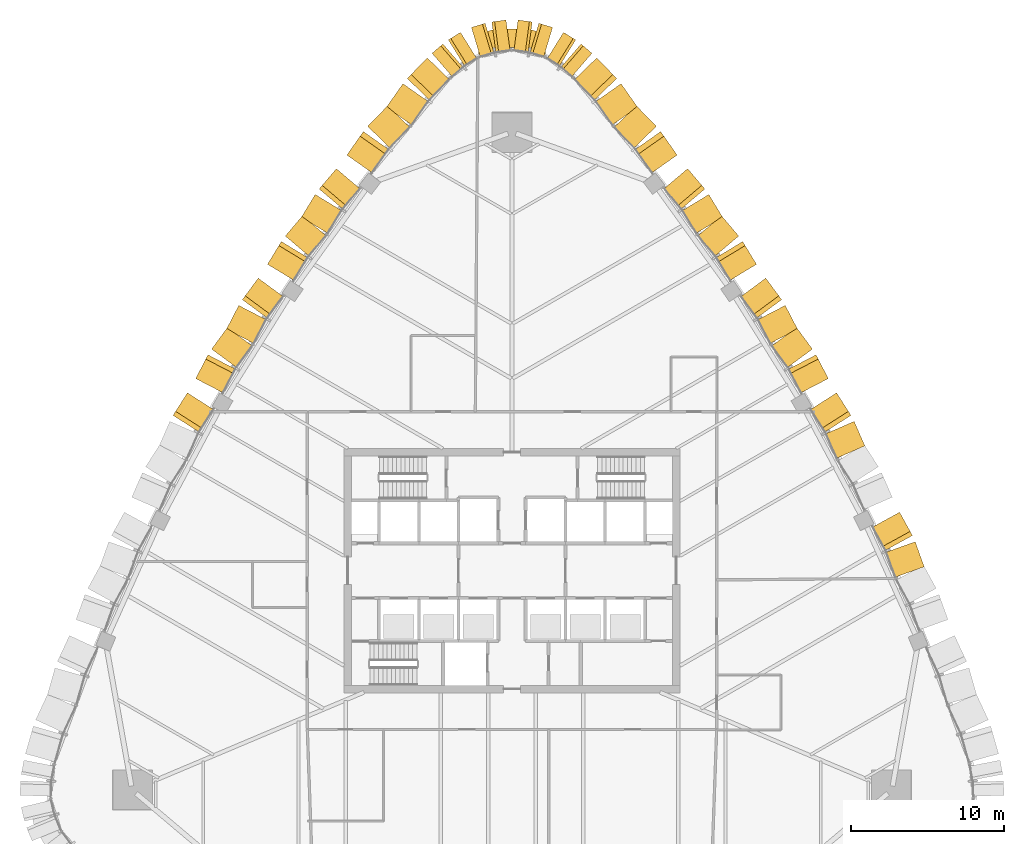
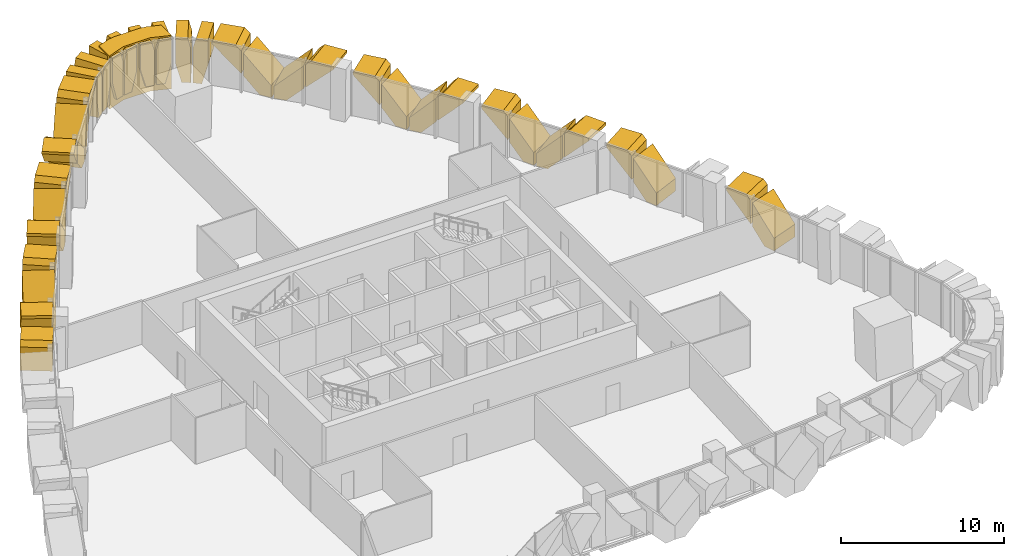
# One storey, part 17 of 18: 38 coverings.
"""IFC4 building model written with IfcOpenShell, lengths in metres."""

from ifc_helpers import new_model, si_unit, direction, frame, origin, place, context, subcontext, project, spatial, polyline, outline, extrude, material, layer, layer_set, type_object, element, save


model = new_model("IFC4")

# Units and contexts
model_context = context("Model", 3, precision=1e-05, world=origin(), true_north=direction((0.0, 1.0)))
body_context = subcontext(model_context, "Body", "Model", "MODEL_VIEW")
ifc_project = project(units=[si_unit("LENGTHUNIT", "METRE"), si_unit("AREAUNIT", "SQUARE_METRE"), si_unit("VOLUMEUNIT", "CUBIC_METRE"), si_unit("PLANEANGLEUNIT", "RADIAN"), si_unit("MASSUNIT", "GRAM", prefix="KILO")], contexts=[model_context])

# Site, building, storey
site_placement = place(None, origin())
site = spatial("IfcSite", under=ifc_project, at=site_placement, CompositionType="ELEMENT")
building_placement = place(site_placement, origin())
building = spatial("IfcBuilding", under=site, at=building_placement, Name="Sierra Prisma Convention Tower", CompositionType="ELEMENT")
storey_placement = place(building_placement, frame((0.0, 0.0, 133.800048828125)))
storey = spatial("IfcBuildingStorey", under=building, at=storey_placement, Name="L28", CompositionType="ELEMENT", Elevation=133.800048828125)

# Coverings
ifc_material_1 = material(Name="Aluminium composite bronze anodised", Category="aluminium")
ifc_layer_1 = layer(ifc_material_1, 1.199951171875)
ifc_layer_set_1 = layer_set([ifc_layer_1], Name="Bronze corner pier")
covering_type_1 = type_object("IfcCoveringType", Name="Bronze corner pier", PredefinedType="CLADDING", material=ifc_layer_set_1)
covering_1_placement = place(storey_placement, frame((0.0, 0.0, -0.60009765625)))
element("IfcCovering", 1, at=covering_1_placement, inside=storey, type_object=covering_type_1, Name="Corner pier N L28.1", PredefinedType="CLADDING", context=body_context, shape_type="SweptSolid", body=[
    extrude(outline(polyline([(-1.3466796875, 35.398193359375), (-0.9482421875, 35.46630859375), (0.9482421875, 35.46630859375), (1.3466796875, 35.398193359375), (2.199951171875, 35.097900390625), (2.199951171875, 33.82568359375), (0.9482421875, 34.266357421875), (-0.9482421875, 34.266357421875), (-2.199951171875, 33.82568359375), (-2.199951171875, 35.097900390625), (-1.3466796875, 35.398193359375)])), origin(), (0.0, 0.0, 1.0), 4.0),
])
ifc_material_2 = material(Name="Aluminium 6063-T6 bronze anodised", Category="aluminium")
ifc_layer_2 = layer(ifc_material_2, 2.0)
ifc_layer_set_2 = layer_set([ifc_layer_2], Name="Bronze crystal chevron frame")
covering_type_2 = type_object("IfcCoveringType", Name="Bronze crystal chevron frame", PredefinedType="CLADDING", material=ifc_layer_set_2)
covering_2_placement = place(storey_placement, frame((26.987548828125, 0.258056640625, 0.0), z_axis=(0.941209803195, 0.33782259593, 7.011994e-06), x_axis=(-0.337822595938, 0.941209803218, -1.74e-10)))
element("IfcCovering", 2, at=covering_2_placement, inside=storey, type_object=covering_type_2, Name="CW-2 chevron frame NE2.2.1", PredefinedType="CLADDING", context=body_context, shape_type="SweptSolid", body=[
    extrude(outline(polyline([(0.0, 0.0), (0.7610441299229481, -2.117582368135751e-22), (1.7431049751650438, 1.0515136722050158), (1.743104974858312, 2.809326172161802), (-1.6457012325409841e-10, 0.9431152343518144), (0.0, 0.0)])), origin(), (0.0, 0.0, -1.0), 2.0),
])
covering_3_placement = place(storey_placement, frame((25.378173828125, 3.83154296875, 3.280029296875), z_axis=(0.876747627936, 0.480950721912, -1.21381e-07), x_axis=(0.480950721912, -0.876747627936, 0.0)))
element("IfcCovering", 3, at=covering_3_placement, inside=storey, type_object=covering_type_2, Name="CW-2 chevron frame NE2.2.2", PredefinedType="CLADDING", context=body_context, shape_type="SweptSolid", body=[
    extrude(outline(polyline([(0.0, 0.0), (1.4335209051017401, 0.0), (1.7431701489083098, 0.3315429687500379), (1.7431701489082738, 2.089355468750025), (-4.543200068624517e-15, 0.22314453124999833), (0.0, 0.0)])), origin(), (0.0, 0.0, -1.0), 2.0),
])
covering_4_placement = place(storey_placement, frame((23.1025390625, 8.173583984375, 0.0), z_axis=(0.916487882935, 0.400062445119, -2.0934344e-05), x_axis=(-0.400062445206, 0.916487883136, -1.548e-09)))
element("IfcCovering", 4, at=covering_4_placement, inside=storey, type_object=covering_type_2, Name="CW-2 chevron frame NE3.2.1", PredefinedType="CLADDING", context=body_context, shape_type="SweptSolid", body=[
    extrude(outline(polyline([(0.0, 0.0), (0.7626911293766957, -8.470329472543003e-22), (1.7514860944042319, 1.053710940443002), (1.7514860916883752, 2.80761719005868), (-1.4569754759587682e-09, 0.9409179685438228), (0.0, 0.0)])), origin(), (0.0, 0.0, -1.0), 2.0),
])
covering_5_placement = place(storey_placement, frame((21.25, 11.645751953125, 3.280029296875), z_axis=(0.842640132906, 0.538477117519, 1.803805e-05), x_axis=(0.538477117606, -0.842640133043, 4.47e-10)))
element("IfcCovering", 5, at=covering_5_placement, inside=storey, type_object=covering_type_2, Name="CW-2 chevron frame NE3.2.2", PredefinedType="CLADDING", context=body_context, shape_type="SweptSolid", body=[
    extrude(outline(polyline([(0.0, 0.0), (1.4382116790702422, 0.0), (1.7514396262075689, 0.3337402352117985), (1.751439625423963, 2.0876464849264638), (-9.871425608631945e-11, 0.2209472655890551), (0.0, 0.0)])), origin(), (0.0, 0.0, -1.0), 2.0),
])
covering_6_placement = place(storey_placement, frame((20.71044921875, 12.580078125, 3.280029296875), z_axis=(0.887691087518, 0.460439499266, 2.563542e-05), x_axis=(2.2756334e-05, 1.180356e-05, -0.999999999671)))
element("IfcCovering", 6, at=covering_6_placement, inside=storey, type_object=covering_type_2, Name="CW-2 chevron frame NE4.1.1", PredefinedType="CLADDING", context=body_context, shape_type="SweptSolid", body=[
    extrude(outline(polyline([(0.0, 0.0), (0.22094726555239952, 0.0), (2.087646483908512, 1.7513790316762687), (0.33398437510974305, 1.7513790316762687), (-1.2976634142253539e-09, 1.4384269412018118), (0.0, 0.0)])), origin(), (0.0, 0.0, -1.0), 2.0),
])
covering_7_placement = place(storey_placement, frame((19.66943359375, 14.51123046875, 2.8076171875), z_axis=(0.804701951781, 0.593679011274, 1.9304784e-05), x_axis=(1.5534598e-05, 1.1460845e-05, -0.999999999814)))
element("IfcCovering", 7, at=covering_7_placement, inside=storey, type_object=covering_type_2, Name="CW-2 chevron frame NE4.1.2", PredefinedType="CLADDING", context=body_context, shape_type="SweptSolid", body=[
    extrude(outline(polyline([(0.0, 0.0), (1.7539062496731819, 2.9712327602904754e-21), (2.8076171883738206, 0.9887031261502415), (2.8076171873695275, 1.7514705268515893), (1.8666992187948557, 1.7514705268515893), (0.0, 0.0)])), origin(), (0.0, 0.0, -1.0), 2.0),
])
covering_8_placement = place(storey_placement, frame((18.6953125, 15.815185546875, 0.0), z_axis=(0.887699422023, 0.460423430831, 2.1960937e-05), x_axis=(-0.460423430942, 0.887699422237, -1.704e-09)))
element("IfcCovering", 8, at=covering_8_placement, inside=storey, type_object=covering_type_2, Name="CW-2 chevron frame NE4.2.1", PredefinedType="CLADDING", context=body_context, shape_type="SweptSolid", body=[
    extrude(outline(polyline([(0.0, 0.0), (0.7626170389544236, 8.470329472543003e-22), (1.751379029748567, 1.0537109407388285), (1.7513790267595246, 2.8076171903158893), (-1.6035313246084825e-09, 0.9409179685231057), (0.0, 0.0)])), origin(), (0.0, 0.0, -1.0), 2.0),
])
covering_9_placement = place(storey_placement, frame((16.61474609375, 19.155517578125, 3.280029296875), z_axis=(0.804707954331, 0.593670875295, -7.884198e-06), x_axis=(0.593670875314, -0.804707954356, 8.5e-11)))
element("IfcCovering", 9, at=covering_9_placement, inside=storey, type_object=covering_type_2, Name="CW-2 chevron frame NE4.2.2", PredefinedType="CLADDING", context=body_context, shape_type="SweptSolid", body=[
    extrude(outline(polyline([(0.0, 0.0), (1.4380817272023352, 0.0), (1.7514705269392281, 0.3339843751598715), (1.7514705267895498, 2.0876464844803673), (-1.8858247986643056e-11, 0.2209472656181329), (0.0, 0.0)])), origin(), (0.0, 0.0, -1.0), 2.0),
])
covering_10_placement = place(storey_placement, frame((16.00732421875, 20.062255859375, 3.280029296875), z_axis=(0.854867177337, 0.518846901553, -4.3135735e-05), x_axis=(-3.6875324e-05, -2.2380842e-05, -0.99999999907)))
element("IfcCovering", 10, at=covering_10_placement, inside=storey, type_object=covering_type_2, Name="CW-2 chevron frame NE5.1.1", PredefinedType="CLADDING", context=body_context, shape_type="SweptSolid", body=[
    extrude(outline(polyline([(0.0, 0.0), (0.22314453104239843, 0.0), (2.0893554674230765, 1.7438148458545888), (0.3315429690584496, 1.7438148458545888), (-3.685950144094414e-09, 1.4338902861096867), (0.0, 0.0)])), origin(), (0.0, 0.0, -1.0), 2.0),
])
covering_11_placement = place(storey_placement, frame((14.843505859375, 21.912841796875, 2.809326171875), z_axis=(0.76322838882, 0.646128797613, -5.826297e-05), x_axis=(-4.4467953e-05, -3.7645383e-05, -0.999999998303)))
element("IfcCovering", 11, at=covering_11_placement, inside=storey, type_object=covering_type_2, Name="CW-2 chevron frame NE5.1.2", PredefinedType="CLADDING", context=body_context, shape_type="SweptSolid", body=[
    extrude(outline(polyline([(0.0, 0.0), (1.7578124970164881, 5.955700410381799e-21), (2.8093261798447067, 0.9825330545624881), (2.8093261706762087, 1.743711513809485), (1.8662109379019456, 1.743711513809485), (0.0, 0.0)])), origin(), (0.0, 0.0, -1.0), 2.0),
])
covering_12_placement = place(storey_placement, frame((13.39453125, 23.79345703125, 0.0), z_axis=(0.854841153172, 0.518889776592, 5.0900293e-05), x_axis=(-0.354303046439, 0.583622279683, 0.730653396585)))
element("IfcCovering", 12, at=covering_12_placement, inside=storey, type_object=covering_type_2, Name="CW-2 chevron frame NE5.2.1", PredefinedType="CLADDING", context=body_context, shape_type="SweptSolid", body=[
    extrude(outline(polyline([(0.0, 0.0), (1.4391415735384658, 0.0), (2.7234932472231694, 1.2001439728024723), (0.16949528065436636, 1.1999628721021667), (-0.5195950687128575, 0.5560522933610624), (0.0, 0.0)])), origin(), (0.0, 0.0, -1.0), 2.0),
])
covering_13_placement = place(storey_placement, frame((11.498779296875, 26.323974609375, 3.280029296875), z_axis=(0.763201746509, 0.646160268893, -3.2080703e-05), x_axis=(0.646160269226, -0.763201746902, 1.422e-09)))
element("IfcCovering", 13, at=covering_13_placement, inside=storey, type_object=covering_type_2, Name="CW-2 chevron frame NE5.2.2", PredefinedType="CLADDING", context=body_context, shape_type="SweptSolid", body=[
    extrude(outline(polyline([(0.0, 0.0), (1.4338008914370168, 0.0), (1.7437115143818633, 0.33154297140001876), (1.7437115118824014, 2.0893554704954735), (-3.172927966106859e-10, 0.22314453113517302), (0.0, 0.0)])), origin(), (0.0, 0.0, -1.0), 2.0),
])
covering_14_placement = place(storey_placement, frame((10.81396484375, 27.213134765625, 3.280029296875), z_axis=(0.81825818976, 0.574850879602, -3.3337572e-05), x_axis=(-2.7278741e-05, -1.9164133e-05, -0.999999999444)))
element("IfcCovering", 14, at=covering_14_placement, inside=storey, type_object=covering_type_2, Name="CW-2 chevron frame NE6.1.1", PredefinedType="CLADDING", context=body_context, shape_type="SweptSolid", body=[
    extrude(outline(polyline([(0.0, 0.0), (0.18749999989580685, 0.0), (2.0627441398873723, 1.8797159650598942), (0.3676757814543163, 1.8797159650598942), (-2.09227465307858e-09, 1.5111809482905958), (0.0, 0.0)])), origin(), (0.0, 0.0, -1.0), 2.0),
])
covering_15_placement = place(storey_placement, frame((9.45068359375, 29.093017578125, 2.78271484375), z_axis=(0.718181661931, 0.695855660505, 1.4468679e-05), x_axis=(1.039114e-05, 1.0068112e-05, -0.999999999895)))
element("IfcCovering", 15, at=covering_15_placement, inside=storey, type_object=covering_type_2, Name="CW-2 chevron frame NE6.1.2", PredefinedType="CLADDING", context=body_context, shape_type="SweptSolid", body=[
    extrude(outline(polyline([(0.0, 0.0), (1.695068359197575, 0.0), (2.782714844231192, 1.0901445623703037), (2.7827148436864206, 1.8798679736986195), (1.8754882812813811, 1.8798679736986195), (0.0, 0.0)])), origin(), (0.0, 0.0, -1.0), 2.0),
])
covering_16_placement = place(storey_placement, frame((7.767822265625, 30.993408203125, 0.0), z_axis=(0.818179011101, 0.574963567486, -4.3096076e-05), x_axis=(-0.407016617906, 0.579241729762, 0.706269418317)))
element("IfcCovering", 16, at=covering_16_placement, inside=storey, type_object=covering_type_2, Name="CW-2 chevron frame NE6.2.1", PredefinedType="CLADDING", context=body_context, shape_type="SweptSolid", body=[
    extrude(outline(polyline([(0.0, 0.0), (1.5399880852831977, -1.1102230246251565e-16), (2.7371630294666343, 1.2000120377051309), (0.08173159966040877, 1.1999579818440722), (-0.5590147769182532, 0.5576931493347438), (0.0, 0.0)])), origin(), (0.0, 0.0, -1.0), 2.0),
])
covering_17_placement = place(storey_placement, frame((5.550537109375, 33.577392578125, 3.280029296875), z_axis=(0.718251426174, 0.69578365082, -7.104265e-06), x_axis=(0.695783650838, -0.718251426192, 6.3e-11)))
element("IfcCovering", 17, at=covering_17_placement, inside=storey, type_object=covering_type_2, Name="CW-2 chevron frame NE6.2.2", PredefinedType="CLADDING", context=body_context, shape_type="SweptSolid", body=[
    extrude(outline(polyline([(0.0, 0.0), (1.5112514709492129, 8.470329472543003e-22), (1.879698096749291, 0.3676757813774575), (1.8796980966427197, 2.0627441407096825), (-1.1788364182891593e-11, 0.1874999999952684), (0.0, 0.0)])), origin(), (0.0, 0.0, -1.0), 2.0),
])
covering_18_placement = place(storey_placement, frame((5.234619140625, 33.8759765625, 3.280029296875), z_axis=(0.654370032456, 0.756174490604, 1.9577933e-05), x_axis=(1.2811213e-05, 1.4804334e-05, -0.999999999808)))
element("IfcCovering", 18, at=covering_18_placement, inside=storey, type_object=covering_type_2, Name="CW-2 chevron frame N1.1.1", PredefinedType="CLADDING", context=body_context, shape_type="SweptSolid", body=[
    extrude(outline(polyline([(0.0, 0.0), (1.8425292965218836, -3.12136604146885e-21), (3.2800292972163483, 0.38198958396468485), (3.280029296617898, 0.9379328997888937), (0.6989746096125511, 0.9379328997888937), (-1.1203900884636294e-09, 0.7522208371897293), (0.0, 0.0)])), origin(), (0.0, 0.0, -1.0), 2.0),
])
covering_19_placement = place(storey_placement, frame((4.168212890625, 34.752685546875, 0.0), z_axis=(0.52801018289, 0.849238038371, 3.0778298e-05), x_axis=(-0.849238038774, 0.52801018314, -1.899e-09)))
element("IfcCovering", 19, at=covering_19_placement, inside=storey, type_object=covering_type_2, Name="CW-2 chevron frame N1.1.2", PredefinedType="CLADDING", context=body_context, shape_type="SweptSolid", body=[
    extrude(outline(polyline([(0.0, 0.0), (0.5557239670615581, 0.0), (0.9377488092547014, 1.4375000019600475), (0.9377488057558427, 3.28002929796233), (0.18562984154656903, 3.280029299807674), (-4.901276534354339e-09, 2.581054686277479), (0.0, 0.0)])), origin(), (0.0, 0.0, -1.0), 2.0),
])
covering_20_placement = place(storey_placement, frame((2.65478515625, 35.570556640625, 3.280029296875), z_axis=(0.286145215674, 0.958186263488, -2.973527e-06), x_axis=(-8.50861e-07, -2.849193e-06, -0.999999999996)))
element("IfcCovering", 20, at=covering_20_placement, inside=storey, type_object=covering_type_2, Name="CW-2 chevron frame N2.1.1", PredefinedType="CLADDING", context=body_context, shape_type="SweptSolid", body=[
    extrude(outline(polyline([(0.0, 0.0), (1.8425292968668543, 0.0), (3.2800292966167457, 0.3819614906245406), (3.2800292968370437, 0.9376462504102431), (0.6989746093484542, 0.9376462504102431), (-3.046179428174864e-10, 0.7521840649551067), (0.0, 0.0)])), origin(), (0.0, 0.0, -1.0), 2.0),
])
covering_21_placement = place(storey_placement, frame((1.32275390625, 35.93212890625, 0.0), z_axis=(0.132561586334, 0.991174769626, 4.3422237e-05), x_axis=(-0.99117477056, 0.132561586459, -2.732e-09)))
element("IfcCovering", 21, at=covering_21_placement, inside=storey, type_object=covering_type_2, Name="CW-2 chevron frame N2.1.2", PredefinedType="CLADDING", context=body_context, shape_type="SweptSolid", body=[
    extrude(outline(polyline([(0.0, 0.0), (0.5559362930335581, 0.0), (0.937713911851534, 1.4375000028394183), (0.9377139068173694, 3.2800292979773826), (0.1856938229837147, 3.280029303131032), (-7.051966028946559e-09, 2.581054685066723), (0.0, 0.0)])), origin(), (0.0, 0.0, -1.0), 2.0),
])
covering_22_placement = place(storey_placement, frame((-0.393310546875, 36.056396484375, 3.280029296875), z_axis=(-0.132561586334, 0.991174769626, 4.3422237e-05), x_axis=(-5.756121e-06, 4.3039025e-05, -0.999999999057)))
element("IfcCovering", 22, at=covering_22_placement, inside=storey, type_object=covering_type_2, Name="CW-2 chevron frame N3.1.1", PredefinedType="CLADDING", context=body_context, shape_type="SweptSolid", body=[
    extrude(outline(polyline([(0.0, 0.0), (1.8425292951379642, 1.560683020734425e-21), (3.280029296934288, 0.381777622745518), (3.2800292954153574, 0.9377139157790761), (0.6989746103486345, 0.9377139157790761), (-7.208321324212575e-09, 0.7520200838336546), (0.0, 0.0)])), origin(), (0.0, 0.0, -1.0), 2.0),
])
covering_23_placement = place(storey_placement, frame((-1.75634765625, 35.8388671875, 0.0), z_axis=(-0.286145215674, 0.958186263488, -2.973527e-06), x_axis=(-0.958186263493, -0.286145215676, 3.96e-10)))
element("IfcCovering", 23, at=covering_23_placement, inside=storey, type_object=covering_type_2, Name="CW-2 chevron frame N3.1.2", PredefinedType="CLADDING", context=body_context, shape_type="SweptSolid", body=[
    extrude(outline(polyline([(0.0, 0.0), (0.5556847597857025, 1.0587911840678754e-22), (0.9376462509801317, 1.437499999598465), (0.9376462517105913, 3.280029296465319), (0.18546218675548448, 3.2800292970681357), (1.023243769976038e-09, 2.581054687488589), (0.0, 0.0)])), origin(), (0.0, 0.0, -1.0), 2.0),
])
covering_24_placement = place(storey_placement, frame((-3.371826171875, 35.247802734375, 3.280029296875), z_axis=(-0.52801018289, 0.849238038371, 3.0778298e-05), x_axis=(-1.6251255e-05, 2.6138101e-05, -0.999999999526)))
element("IfcCovering", 24, at=covering_24_placement, inside=storey, type_object=covering_type_2, Name="CW-2 chevron frame N4.1.1", PredefinedType="CLADDING", context=body_context, shape_type="SweptSolid", body=[
    extrude(outline(polyline([(0.0, 0.0), (1.8425292960022828, -3.12136604146885e-21), (3.2800292972368865, 0.3820248449228743), (3.280029296181598, 0.9377488119844324), (0.6989746099041194, 0.9377488119844324), (-3.2735754678789775e-09, 0.7521189642092736), (0.0, 0.0)])), origin(), (0.0, 0.0, -1.0), 2.0),
])
covering_25_placement = place(storey_placement, frame((-4.525390625, 34.48974609375, 0.0), z_axis=(-0.654370032456, 0.756174490604, 1.9577933e-05), x_axis=(-0.756174490749, -0.654370032582, -1.076e-09)))
element("IfcCovering", 25, at=covering_25_placement, inside=storey, type_object=covering_type_2, Name="CW-2 chevron frame N4.1.2", PredefinedType="CLADDING", context=body_context, shape_type="SweptSolid", body=[
    extrude(outline(polyline([(0.0, 0.0), (0.5559433158242089, 8.470329472543003e-22), (0.9379328982414832, 1.4375000011056613), (0.9379328962580751, 3.280029297627545), (0.18571205906834587, 3.2800292979381998), (-2.7784007125396495e-09, 2.5810546870053472), (0.0, 0.0)])), origin(), (0.0, 0.0, -1.0), 2.0),
])
covering_26_placement = place(storey_placement, frame((-5.550537109375, 33.577392578125, 3.280029296875), z_axis=(-0.718251426174, 0.69578365082, -7.104265e-06), x_axis=(5.102648e-06, -4.943031e-06, -0.999999999975)))
element("IfcCovering", 26, at=covering_26_placement, inside=storey, type_object=covering_type_2, Name="CW-2 chevron frame NW1.1.1", PredefinedType="CLADDING", context=body_context, shape_type="SweptSolid", body=[
    extrude(outline(polyline([(0.0, 0.0), (0.1874999999952684, 0.0), (2.062744140591503, 1.8796980967724073), (0.3676757812592784, 1.8796980967724073), (-9.501430779665848e-11, 1.511251470949213), (0.0, 0.0)])), origin(), (0.0, 0.0, -1.0), 2.0),
])
covering_27_placement = place(storey_placement, frame((-7.14111328125, 31.885498046875, 2.78271484375), z_axis=(-0.818179011101, 0.574963567486, -4.3096076e-05), x_axis=(3.5260305e-05, -2.4778674e-05, -0.999999999071)))
element("IfcCovering", 27, at=covering_27_placement, inside=storey, type_object=covering_type_2, Name="CW-2 chevron frame NW1.1.2", PredefinedType="CLADDING", context=body_context, shape_type="SweptSolid", body=[
    extrude(outline(polyline([(0.0, 0.0), (1.6950683578008987, 5.743114992955671e-21), (2.7827148480190953, 1.0902240206169775), (2.7827148431859263, 1.8798563208858234), (1.8754882815284095, 1.8798563208858234), (0.0, 0.0)])), origin(), (0.0, 0.0, -1.0), 2.0),
])
covering_28_placement = place(storey_placement, frame((-8.692138671875, 29.8759765625, 0.0), z_axis=(-0.718181661931, 0.695855660505, 1.4468679e-05), x_axis=(-0.49260100191, -0.508420417422, 0.706295215945)))
element("IfcCovering", 28, at=covering_28_placement, inside=storey, type_object=covering_type_2, Name="CW-2 chevron frame NW1.2.1", PredefinedType="CLADDING", context=body_context, shape_type="SweptSolid", body=[
    extrude(outline(polyline([(0.0, 0.0), (1.5399318307222312, -2.220446049250313e-16), (2.7371505036476904, 1.1999684127306685), (0.08171082458006396, 1.2000193515390511), (-0.5590589562914623, 0.5577778677845984), (0.0, 0.0)])), origin(), (0.0, 0.0, -1.0), 2.0),
])
covering_29_placement = place(storey_placement, frame((-10.81396484375, 27.213134765625, 3.280029296875), z_axis=(-0.81825818976, 0.574850879602, -3.3337572e-05), x_axis=(0.574850879922, 0.818258190215, 1.385e-09)))
element("IfcCovering", 29, at=covering_29_placement, inside=storey, type_object=covering_type_2, Name="CW-2 chevron frame NW1.2.2", PredefinedType="CLADDING", context=body_context, shape_type="SweptSolid", body=[
    extrude(outline(polyline([(0.0, 0.0), (1.5111809482905956, 0.0), (1.8797159645508366, 0.3676757840568386), (1.8797159622039643, 2.062744142489895), (-2.595992873510789e-10, 0.18749999989580687), (0.0, 0.0)])), origin(), (0.0, 0.0, -1.0), 2.0),
])
covering_30_placement = place(storey_placement, frame((-11.499755859375, 26.322509765625, 3.280029296875), z_axis=(-0.763159655077, 0.646209981844, 1.50644e-05), x_axis=(-1.1496543e-05, 9.734766e-06, -0.999999999887)))
element("IfcCovering", 30, at=covering_30_placement, inside=storey, type_object=covering_type_2, Name="CW-2 chevron frame NW2.1.1", PredefinedType="CLADDING", context=body_context, shape_type="SweptSolid", body=[
    extrude(outline(polyline([(0.0, 0.0), (0.22338867184965253, 0.0), (2.089355468588164, 1.7431811078018833), (0.3315429687876196, 1.7431811078018833), (-4.4960618272510476e-10, 1.4338008925347654), (0.0, 0.0)])), origin(), (0.0, 0.0, -1.0), 2.0),
])
covering_31_placement = place(storey_placement, frame((-12.885498046875, 24.63232421875, 2.809326171875), z_axis=(-0.854915113424, 0.518767914124, 1.0734225e-05), x_axis=(-9.176851e-06, 5.568572e-06, -0.999999999942)))
element("IfcCovering", 31, at=covering_31_placement, inside=storey, type_object=covering_type_2, Name="CW-2 chevron frame NW2.1.2", PredefinedType="CLADDING", context=body_context, shape_type="SweptSolid", body=[
    extrude(outline(polyline([(0.0, 0.0), (1.7578124998987292, 1.4889251025954498e-21), (2.809326172145519, 0.9821097929864633), (2.8093261718343085, 1.743144093424008), (1.8662109375136433, 1.743144093424008), (0.0, 0.0)])), origin(), (0.0, 0.0, -1.0), 2.0),
])
covering_32_placement = place(storey_placement, frame((-14.208984375, 22.662109375, 0.0), z_axis=(-0.763217991693, 0.64614108145, -4.392796e-06), x_axis=(-0.441107236174, -0.5210282687, 0.730721526582)))
element("IfcCovering", 32, at=covering_32_placement, inside=storey, type_object=covering_type_2, Name="CW-2 chevron frame NW2.2.1", PredefinedType="CLADDING", context=body_context, shape_type="SweptSolid", body=[
    extrude(outline(polyline([(0.0, 0.0), (1.4390073833542556, 1.1102230246251565e-16), (2.7234788167988455, 1.2000158006299029), (0.16964380671215096, 1.1999151374890618), (-0.5195107970929115, 0.5560733266788792), (0.0, 0.0)])), origin(), (0.0, 0.0, -1.0), 2.0),
])
covering_33_placement = place(storey_placement, frame((-16.00732421875, 20.062255859375, 3.280029296875), z_axis=(-0.854849953753, 0.51887528035, -3.216053e-06), x_axis=(0.518875280352, 0.854849953757, 1.4e-11)))
element("IfcCovering", 33, at=covering_33_placement, inside=storey, type_object=covering_type_2, Name="CW-2 chevron frame NW2.2.2", PredefinedType="CLADDING", context=body_context, shape_type="SweptSolid", body=[
    extrude(outline(polyline([(0.0, 0.0), (1.4336815788809734, -8.470329472543003e-22), (1.743270759624531, 0.3315429687766311), (1.7432707595994066, 2.0893554687675406), (-3.1928860517310385e-12, 0.22338867187384476), (0.0, 0.0)])), origin(), (0.0, 0.0, -1.0), 2.0),
])
covering_34_placement = place(storey_placement, frame((-16.614990234375, 19.1552734375, 3.280029296875), z_axis=(-0.804723293048, 0.593650082888, -2.6698343e-05), x_axis=(2.1484779e-05, -1.5849474e-05, -0.999999999644)))
element("IfcCovering", 34, at=covering_34_placement, inside=storey, type_object=covering_type_2, Name="CW-2 chevron frame NW3.1.1", PredefinedType="CLADDING", context=body_context, shape_type="SweptSolid", body=[
    extrude(outline(polyline([(0.0, 0.0), (0.22094726554625424, 0.0), (2.087646483868852, 1.7511291267010236), (0.3337402344939453, 1.7511291267010236), (-1.4076785878135536e-09, 1.4380817263200525), (0.0, 0.0)])), origin(), (0.0, 0.0, -1.0), 2.0),
])
covering_35_placement = place(storey_placement, frame((-17.88916015625, 17.36962890625, 2.8076171875), z_axis=(-0.887680384234, 0.460460132107, -4.6759067e-05), x_axis=(4.1507106e-05, -2.1530686e-05, -0.999999998907)))
element("IfcCovering", 35, at=covering_35_placement, inside=storey, type_object=covering_type_2, Name="CW-2 chevron frame NW3.1.2", PredefinedType="CLADDING", context=body_context, shape_type="SweptSolid", body=[
    extrude(outline(polyline([(0.0, 0.0), (1.7539062480826209, 5.942465520580951e-21), (2.8076171926265348, 0.9886495781238185), (2.8076171867345434, 1.7513790310041466), (1.8666992190131593, 1.7513790310041466), (0.0, 0.0)])), origin(), (0.0, 0.0, -1.0), 2.0),
])
covering_36_placement = place(storey_placement, frame((-18.6298828125, 15.92041015625, 0.0), z_axis=(-0.804739128663, 0.593628615812, -3.5875667e-05), x_axis=(-0.593628616194, -0.804739129181, -4.548e-09)))
element("IfcCovering", 36, at=covering_36_placement, inside=storey, type_object=covering_type_2, Name="CW-2 chevron frame NW3.2.1", PredefinedType="CLADDING", context=body_context, shape_type="SweptSolid", body=[
    extrude(outline(polyline([(0.0, 0.0), (0.7626224670863405, 1.6940658945086007e-21), (1.751129121523379, 1.0537109461422383), (1.751129113546607, 2.807617195013544), (-4.279298426517007e-09, 0.9409179681444895), (0.0, 0.0)])), origin(), (0.0, 0.0, -1.0), 2.0),
])
covering_37_placement = place(storey_placement, frame((-20.71044921875, 12.580078125, 3.280029296875), z_axis=(-0.887691089207, 0.46043949601, 2.5634922e-05), x_axis=(0.460439496161, 0.887691089499, 9.02e-10)))
element("IfcCovering", 37, at=covering_37_placement, inside=storey, type_object=covering_type_2, Name="CW-2 chevron frame NW3.2.2", PredefinedType="CLADDING", context=body_context, shape_type="SweptSolid", body=[
    extrude(outline(polyline([(0.0, 0.0), (1.4384269412016262, 0.0), (1.751379031375194, 0.3337402360647829), (1.7513790297927898, 2.087646485488494), (-1.9934242022687138e-10, 0.22094726555240235), (0.0, 0.0)])), origin(), (0.0, 0.0, -1.0), 2.0),
])
covering_38_placement = place(storey_placement, frame((-21.25, 11.645751953125, 3.280029296875), z_axis=(-0.842640132906, 0.538477117519, 1.803805e-05), x_axis=(-1.5199585e-05, 9.713077e-06, -0.999999999837)))
element("IfcCovering", 38, at=covering_38_placement, inside=storey, type_object=covering_type_2, Name="CW-2 chevron frame NW4.1.1", PredefinedType="CLADDING", context=body_context, shape_type="SweptSolid", body=[
    extrude(outline(polyline([(0.0, 0.0), (0.22094726558905506, 0.0), (2.0876464841439595, 1.7514396263566765), (0.33374023442929474, 1.7514396263566765), (-6.425605477235386e-10, 1.4382116790702422), (0.0, 0.0)])), origin(), (0.0, 0.0, -1.0), 2.0),
])

save(model, "model.ifc")
